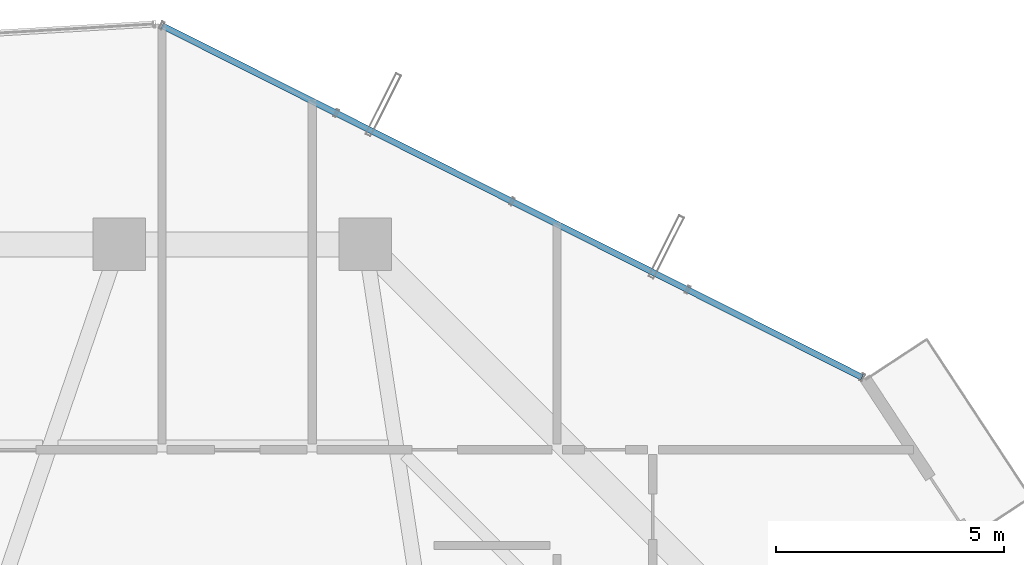
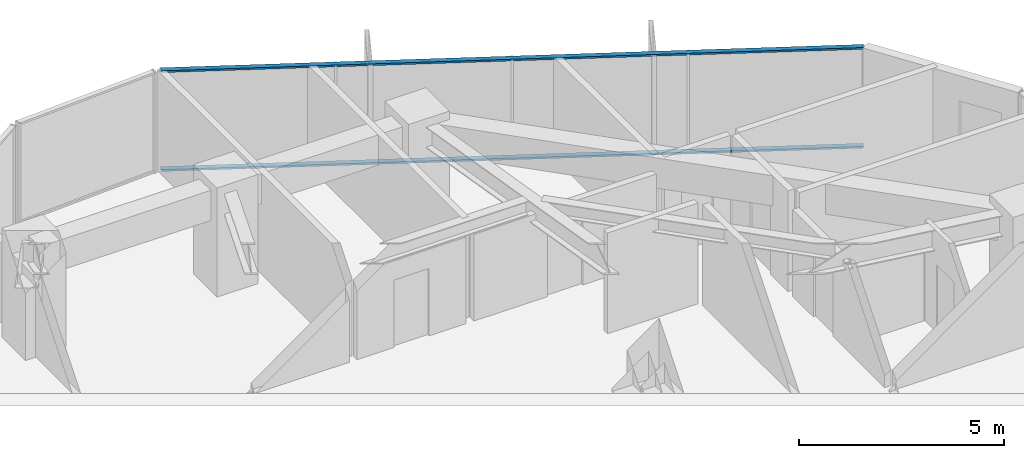
# One storey, part 24 of 33: 2 members, 1 element without a shape of its own.
"""IFC4 building model written with IfcOpenShell, lengths in metres."""

import ifcopenshell
import ifcopenshell.guid

model = None  # the IFC model being written
_history = None  # IfcOwnerHistory: only IFC2X3 demands one
_inside = {}  # id of a spatial element -> (the spatial element, [elements in it])
_under = {}  # id of a project, library or spatial element -> (it, [spatial elements below it])
_declared = {}  # id of a project -> (the project, [libraries it declares])
_typed = {}  # id of a type object -> (the type object, [elements of that type])
_made_of = {}  # id of a material, layer set ... -> (it, [elements and type objects made of it])


def new_model(schema):
    """Start an empty IFC model of exactly this schema.

    Asked for "IFC4X3", IfcOpenShell would pick the latest addendum, in which some entities
    have other attributes; the version numbers below select the first issue.
    IFC2X3 requires an IfcOwnerHistory on every rooted entity: one is made here for all.
    """
    global model, _history
    if schema == "IFC4X3":
        model = ifcopenshell.file(schema_version=(4, 3, 0, 0))
    else:
        model = ifcopenshell.file(schema=schema)
    _inside.clear()
    _under.clear()
    _declared.clear()
    _typed.clear()
    _made_of.clear()
    _history = None
    if model.schema == "IFC2X3":
        org = make("IfcOrganization", Name="unknown")
        user = make(
            "IfcPersonAndOrganization",
            ThePerson=make("IfcPerson", FamilyName="unknown"),
            TheOrganization=org,
        )
        app = make(
            "IfcApplication",
            ApplicationDeveloper=org,
            Version="unknown",
            ApplicationFullName="unknown",
            ApplicationIdentifier="unknown",
        )
        _history = make(
            "IfcOwnerHistory",
            OwningUser=user,
            OwningApplication=app,
            ChangeAction="ADDED",
            CreationDate=0,
        )
    return model


def make(cls, **values):
    """One entity of the class cls with the attributes given. An attribute that is None is left unset."""
    return model.create_entity(
        cls, **{name: value for name, value in values.items() if value is not None}
    )


def rooted(cls, **values):
    """An entity with a GlobalId (a new one), such as an element, a storey or a relation."""
    return make(cls, GlobalId=ifcopenshell.guid.new(), OwnerHistory=_history, **values)


def si_unit(unit_type, name, prefix=None):
    """IfcSIUnit, for example si_unit("LENGTHUNIT", "METRE", prefix="MILLI")."""
    return make("IfcSIUnit", UnitType=unit_type, Prefix=prefix, Name=name)


def assignment(units):
    """IfcUnitAssignment: the units of a project."""
    return None if units is None else make("IfcUnitAssignment", Units=units)


def point(xyz):
    """IfcCartesianPoint."""
    return None if xyz is None else make("IfcCartesianPoint", Coordinates=xyz)


def direction(xyz):
    """IfcDirection."""
    return None if xyz is None else make("IfcDirection", DirectionRatios=xyz)


def frame(location, z_axis=None, x_axis=None):
    """IfcAxis2Placement3D, a coordinate frame: its origin and axes. An axis left out is left unset."""
    return make(
        "IfcAxis2Placement3D",
        Location=point(location),
        Axis=direction(z_axis),
        RefDirection=direction(x_axis),
    )


def frame_2d(location, x_axis=None):
    """IfcAxis2Placement2D, a coordinate frame in the plane: its origin and x axis."""
    return make(
        "IfcAxis2Placement2D", Location=point(location), RefDirection=direction(x_axis)
    )


def origin():
    """The frame at (0, 0, 0) with its axes left unset."""
    return frame((0.0, 0.0, 0.0))


def origin_2d():
    """The frame at (0, 0) in the plane with its x axis left unset."""
    return frame_2d((0.0, 0.0))


def place(relative_to, where):
    """IfcLocalPlacement: puts the frame where relative to a parent placement (None: the world)."""
    return make(
        "IfcLocalPlacement", PlacementRelTo=relative_to, RelativePlacement=where
    )


def context(
    kind, dimensions, precision=None, world=None, true_north=None, identifier=None
):
    """IfcGeometricRepresentationContext, for example the 3D "Model" context."""
    return make(
        "IfcGeometricRepresentationContext",
        ContextIdentifier=identifier,
        ContextType=kind,
        CoordinateSpaceDimension=dimensions,
        Precision=precision,
        WorldCoordinateSystem=world,
        TrueNorth=true_north,
    )


def subcontext(parent, identifier, kind, view, scale=None):
    """IfcGeometricRepresentationSubContext, for example "Body" below "Model"."""
    return make(
        "IfcGeometricRepresentationSubContext",
        ContextIdentifier=identifier,
        ContextType=kind,
        ParentContext=parent,
        TargetScale=scale,
        TargetView=view,
    )


def project(units=None, contexts=None):
    """IfcProject with its units and contexts."""
    return rooted(
        "IfcProject",
        Name="project",
        RepresentationContexts=contexts,
        UnitsInContext=assignment(units),
    )


def spatial(cls, under=None, at=None, **own):
    """A site, building, storey or space (cls), placed at a placement, below another one or the project."""
    s = rooted(cls, ObjectPlacement=at, **own)
    if under is not None:
        _under.setdefault(under.id(), (under, []))[1].append(s)
    return s


def profile(cls, at=None, kind="AREA", **sizes):
    """A parametric profile (cls). Its sizes go by their IFC names, for example OverallWidth=200.0."""
    return make(cls, ProfileType=kind, Position=at, **sizes)


def hollow_rectangle(**sizes):
    """IfcRectangleHollowProfileDef."""
    return profile("IfcRectangleHollowProfileDef", **sizes)


def extrude(swept, where, along, depth):
    """IfcExtrudedAreaSolid: the profile swept, set in the frame where, extruded along a direction by depth."""
    return make(
        "IfcExtrudedAreaSolid",
        SweptArea=swept,
        Position=where,
        ExtrudedDirection=direction(along),
        Depth=depth,
    )


def shape(context_of_items, identifier, shape_type, items):
    """IfcShapeRepresentation: the items that make up one representation, for example the "Body"."""
    return make(
        "IfcShapeRepresentation",
        ContextOfItems=context_of_items,
        RepresentationIdentifier=identifier,
        RepresentationType=shape_type,
        Items=items,
    )


def source(mapping_origin, context_of_items, identifier, shape_type, items):
    """IfcRepresentationMap: a shape defined once, which mapped items show again and again."""
    return make(
        "IfcRepresentationMap",
        MappingOrigin=mapping_origin,
        MappedRepresentation=shape(context_of_items, identifier, shape_type, items),
    )


def transform(
    local_origin,
    x_axis=None,
    y_axis=None,
    z_axis=None,
    scale=None,
    scale2=None,
    scale3=None,
    uniform=True,
):
    """IfcCartesianTransformationOperator3D, or its non-uniform kind. x_axis, y_axis, z_axis: its Axis1, 2, 3."""
    if uniform:
        return make(
            "IfcCartesianTransformationOperator3D",
            Axis1=direction(x_axis),
            Axis2=direction(y_axis),
            LocalOrigin=point(local_origin),
            Scale=scale,
            Axis3=direction(z_axis),
        )
    return make(
        "IfcCartesianTransformationOperator3DnonUniform",
        Axis1=direction(x_axis),
        Axis2=direction(y_axis),
        LocalOrigin=point(local_origin),
        Scale=scale,
        Axis3=direction(z_axis),
        Scale2=scale2,
        Scale3=scale3,
    )


def mapped(mapping_source, mapping_target):
    """IfcMappedItem: shows the shape of a source again, moved by a transform."""
    return make(
        "IfcMappedItem", MappingSource=mapping_source, MappingTarget=mapping_target
    )


def material(Name=None, Category=None):
    """IfcMaterial."""
    return make("IfcMaterial", Name=Name, Category=Category)


def layer(
    of_material, thickness, ventilated=None, Name=None, Category=None, Priority=None
):
    """IfcMaterialLayer: one layer of a wall or slab, of a material (None: an air gap)."""
    return make(
        "IfcMaterialLayer",
        Material=of_material,
        LayerThickness=thickness,
        IsVentilated=ventilated,
        Name=Name,
        Category=Category,
        Priority=Priority,
    )


def layer_set(layers, Name=None):
    """IfcMaterialLayerSet."""
    return make("IfcMaterialLayerSet", MaterialLayers=layers, LayerSetName=Name)


def material_profile(
    of_material, cross_section, Name=None, Category=None, Priority=None
):
    """IfcMaterialProfile: a cross section and its material."""
    return make(
        "IfcMaterialProfile",
        Name=Name,
        Material=of_material,
        Profile=cross_section,
        Priority=Priority,
        Category=Category,
    )


def profile_set(profiles, Name=None, composite=None):
    """IfcMaterialProfileSet."""
    return make(
        "IfcMaterialProfileSet",
        Name=Name,
        MaterialProfiles=profiles,
        CompositeProfile=composite,
    )


def made_of(thing, what):
    """Note that an element or type object is made of a material, layer set ...; save() writes the relation."""
    if what is not None:
        _made_of.setdefault(what.id(), (what, []))[1].append(thing)
    return thing


def type_object(cls, material=None, **own):
    """A type object (cls), such as IfcWallType, which elements share."""
    return made_of(rooted(cls, **own), material)


def element(
    cls,
    number,
    at=None,
    inside=None,
    cuts=None,
    type_object=None,
    material=None,
    context=None,
    identifier="Body",
    shape_type=None,
    held_by="IfcProductDefinitionShape",
    body=None,
    shapes=None,
    **own,
):
    """One element of the class cls, such as IfcWall. Its Tag is "e" and its number.

    at: its placement. inside: the storey or other place that contains it. cuts: it is an
    opening in that element (IfcRelVoidsElement). A single representation is given by context,
    identifier, shape_type and body (its items); several are given by shapes. held_by: the class
    of the entity that holds the representations. save() writes the other relations.
    """
    e = rooted(cls, Tag="e%d" % number, ObjectPlacement=at, **own)
    if body is not None:
        shapes = [shape(context, identifier, shape_type, body)]
    if shapes is not None:
        e.Representation = make(held_by, Representations=shapes)
    if inside is not None:
        _inside.setdefault(inside.id(), (inside, []))[1].append(e)
    if cuts is not None:
        rooted(
            "IfcRelVoidsElement", RelatingBuildingElement=cuts, RelatedOpeningElement=e
        )
    if type_object is not None:
        _typed.setdefault(type_object.id(), (type_object, []))[1].append(e)
    return made_of(e, material)


def aggregate(whole, parts):
    """IfcRelAggregates: a whole, such as a stair, and the parts it consists of."""
    return rooted("IfcRelAggregates", RelatingObject=whole, RelatedObjects=parts)


def save(model, path):
    """Write the relations noted so far, then the file.

    IfcRelAggregates (storeys below a building ...), IfcRelContainedInSpatialStructure (elements
    in a storey), IfcRelDefinesByType, IfcRelAssociatesMaterial and IfcRelDeclares: one each for
    every whole, place, type object, material and project.
    """
    for whole, parts in _under.values():
        aggregate(whole, parts)
    for where, things in _inside.values():
        rooted(
            "IfcRelContainedInSpatialStructure",
            RelatedElements=things,
            RelatingStructure=where,
        )
    for kind, things in _typed.values():
        rooted("IfcRelDefinesByType", RelatedObjects=things, RelatingType=kind)
    for what, things in _made_of.values():
        rooted("IfcRelAssociatesMaterial", RelatedObjects=things, RelatingMaterial=what)
    for by, libraries in _declared.values():
        rooted("IfcRelDeclares", RelatingContext=by, RelatedDefinitions=libraries)
    model.write(path)


model = new_model("IFC4")

# Units and contexts
model_context = context("Model", 3, precision=1e-05, world=origin(), true_north=direction((0.0, 1.0)))
body_context = subcontext(model_context, "Body", "Model", "MODEL_VIEW")
ifc_project = project(units=[si_unit("LENGTHUNIT", "METRE"), si_unit("AREAUNIT", "SQUARE_METRE"), si_unit("VOLUMEUNIT", "CUBIC_METRE"), si_unit("PLANEANGLEUNIT", "RADIAN"), si_unit("MASSUNIT", "GRAM", prefix="KILO")], contexts=[model_context])

# Site, building, storey
site_placement = place(None, origin())
site = spatial("IfcSite", under=ifc_project, at=site_placement, CompositionType="ELEMENT")
building_placement = place(site_placement, origin())
building = spatial("IfcBuilding", under=site, at=building_placement, Name="Veraguas Prism Commons", CompositionType="ELEMENT")
storey_placement = place(building_placement, frame((0.0, 0.0, 139.25)))
storey = spatial("IfcBuildingStorey", under=building, at=storey_placement, Name="L39", CompositionType="ELEMENT", Elevation=139.25)

# Curtain wall, members
ifc_material = material(Name="Anodised aluminium EN AW-6063 T6", Category="aluminium")
ifc_layer = layer(ifc_material, 0.169921875, Name="Unitised Flush Curtain Wall Zone 2", Category="aluminium")
ifc_layer_set = layer_set([ifc_layer], Name="Anodised aluminium EN AW-6063 T6")
curtain_wall_type = type_object("IfcCurtainWallType", Name="Unitised Flush Curtain Wall Zone 2", PredefinedType="NOTDEFINED", material=ifc_layer_set)
curtain_wall_placement = place(storey_placement, origin())
curtain_wall = element("IfcCurtainWall", 1, at=curtain_wall_placement, inside=storey, type_object=curtain_wall_type, Name="Tower Facade Curtain Wall L39-F1", PredefinedType="NOTDEFINED")
ifc_material_profile = material_profile(ifc_material, hollow_rectangle(XDim=0.054931640625, YDim=0.135009765625, WallThickness=0.0029296875, at=origin_2d()), Name="AL55X135X3")
ifc_profile_set = profile_set([ifc_material_profile], Name="Anodised aluminium EN AW-6063 T6")
member_type = type_object("IfcMemberType", Name="Curtain Wall Transom Standard AL 55x135x3", PredefinedType="USERDEFINED", material=ifc_profile_set)
shared_shape = source(origin(), body_context, "Body", "SweptSolid", [
    extrude(hollow_rectangle(XDim=0.054931640625, YDim=0.135009765625, WallThickness=0.0029296875, at=origin_2d()), origin(), (0.0, 0.0, 1.0), 17.17431640625),
])
member_1_placement = place(storey_placement, frame((40.285888671875, 37.2841796875, 0.027587890625), z_axis=(-0.893521265753, 0.449020876628, 0.0), x_axis=(0.0, 0.0, 1.0)))
member_1 = element("IfcMember", 2, at=member_1_placement, type_object=member_type, Name="CW-Z2 Transom 1", ObjectType="TRANSOM", PredefinedType="USERDEFINED", context=body_context, shape_type="MappedRepresentation", body=[
    mapped(shared_shape, transform((0.0, 0.0, 0.0), scale=1.0)),
])
member_2_placement = place(storey_placement, frame((40.285888671875, 37.2841796875, 2.972412109375), z_axis=(-0.893521265753, 0.449020876628, 0.0), x_axis=(0.0, 0.0, 1.0)))
member_2 = element("IfcMember", 3, at=member_2_placement, type_object=member_type, Name="CW-Z2 Transom 2", ObjectType="TRANSOM", PredefinedType="USERDEFINED", context=body_context, shape_type="MappedRepresentation", body=[
    mapped(shared_shape, transform((0.0, 0.0, 0.0), scale=1.0)),
])
aggregate(curtain_wall, [member_1, member_2])

save(model, "model.ifc")
